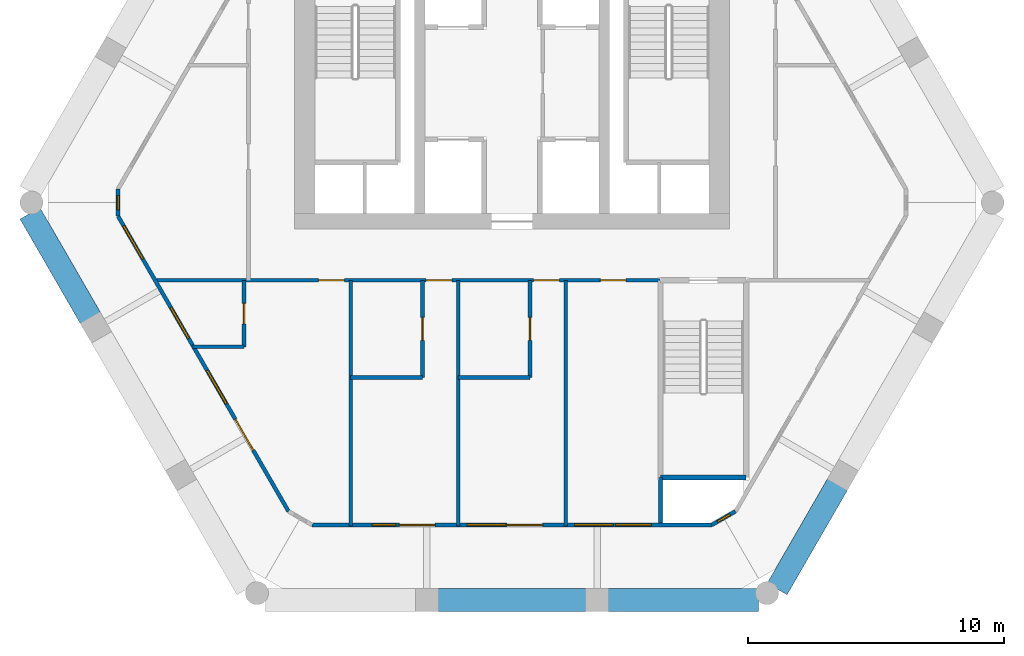
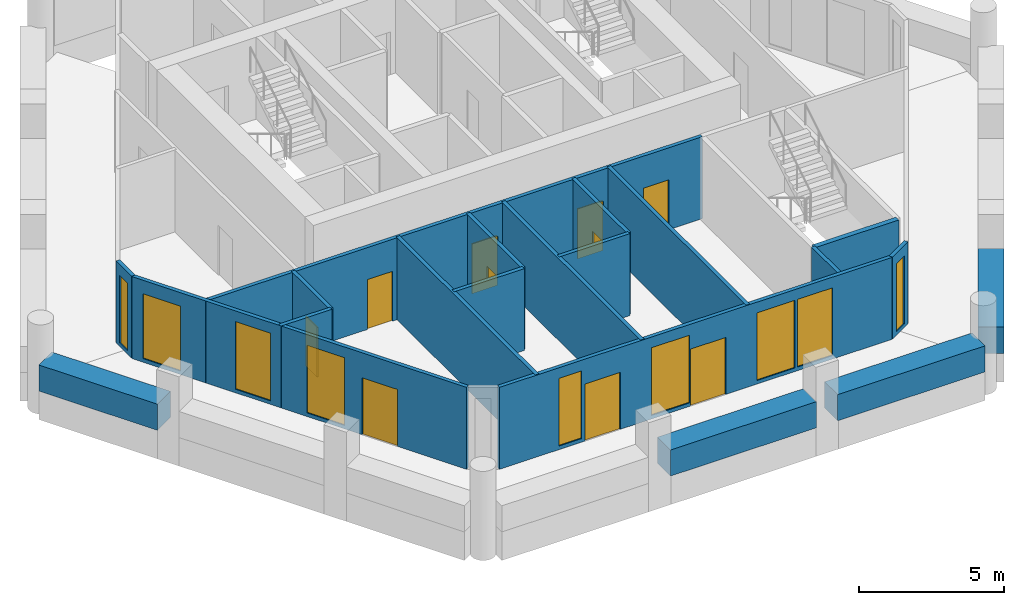
# One storey, part 2 of 6: 20 walls, 10 doors, 9 windows, 19 openings.
"""IFC4 building model written with IfcOpenShell, lengths in metres."""

from ifc_helpers import new_model, si_unit, direction, frame, frame_2d, origin, place, context, subcontext, project, spatial, rectangle, extrude, material, layer, layer_set, type_object, element, fill, save


model = new_model("IFC4")

# Units and contexts
model_context = context("Model", 3, precision=1e-05, world=origin(), true_north=direction((0.0, 1.0)))
body_context = subcontext(model_context, "Body", "Model", "MODEL_VIEW")
ifc_project = project(units=[si_unit("LENGTHUNIT", "METRE"), si_unit("AREAUNIT", "SQUARE_METRE"), si_unit("VOLUMEUNIT", "CUBIC_METRE"), si_unit("PLANEANGLEUNIT", "RADIAN"), si_unit("MASSUNIT", "GRAM", prefix="KILO")], contexts=[model_context])

# Site, building, storey
site_placement = place(None, origin())
site = spatial("IfcSite", under=ifc_project, at=site_placement, CompositionType="ELEMENT")
building_placement = place(site_placement, origin())
building = spatial("IfcBuilding", under=site, at=building_placement, Name="Ostrander Bayou Hotel Tower", CompositionType="ELEMENT")
storey_placement = place(building_placement, frame((0.0, 0.0, 248.75)))
storey = spatial("IfcBuildingStorey", under=building, at=storey_placement, Name="L61", CompositionType="ELEMENT", Elevation=248.75)

# Wall, openings, door, windows
ifc_material_1 = material(Name="Aluminium framed insulated wall", Category="aluminium")
ifc_layer_1 = layer(ifc_material_1, 0.14990234375)
ifc_layer_set_1 = layer_set([ifc_layer_1], Name="GW1 glass-line wall 150 mm")
wall_type_1 = type_object("IfcWallType", Name="GW1 glass-line wall 150 mm", PredefinedType="SOLIDWALL", material=ifc_layer_set_1)
wall_1_placement = place(storey_placement, frame((-15.387451171875, -1.197998046875, 0.0), z_axis=(0.0, 0.0, 1.0), x_axis=(0.499997087355, -0.866027085394, 0.0)))
wall_1 = element("IfcWall", 1, at=wall_1_placement, inside=storey, type_object=wall_type_1, Name="GW1 L61 SW 1", PredefinedType="SOLIDWALL", context=body_context, shape_type="SweptSolid", body=[
    extrude(rectangle(XDim=13.3125, YDim=0.14990234375, at=frame_2d((6.65625, 0.0))), origin(), (0.0, 0.0, 1.0), 3.449951171875),
])
opening_1_placement = place(wall_1_placement, frame((4.115234375, 0.0, 0.14990234375)))
opening_1 = element("IfcOpeningElement", 2, at=opening_1_placement, cuts=wall_1, Name="Opening W14", PredefinedType="OPENING", context=body_context, shape_type="SweptSolid", body=[
    extrude(rectangle(XDim=1.39990234375, YDim=2.85009765625, at=frame_2d((0.699951171875, 1.425048828125))), frame((0.0, 0.074951171875, 0.0), z_axis=(0.0, -1.0, 0.0), x_axis=(1.0, 0.0, 0.0)), (0.0, 0.0, 1.0), 0.14990234375),
])
opening_2_placement = place(wall_1_placement, frame((6.956298828125, 0.0, 0.14990234375)))
opening_2 = element("IfcOpeningElement", 3, at=opening_2_placement, cuts=wall_1, Name="Opening W4", PredefinedType="OPENING", context=body_context, shape_type="SweptSolid", body=[
    extrude(rectangle(XDim=1.5, YDim=2.85009765625, at=frame_2d((0.75, 1.425048828125))), frame((0.0, 0.074951171875, 0.0), z_axis=(0.0, -1.0, 0.0), x_axis=(1.0, 0.0, 0.0)), (0.0, 0.0, 1.0), 0.14990234375),
])
opening_3_placement = place(wall_1_placement, frame((9.15625, 0.0, 0.0)))
opening_3 = element("IfcOpeningElement", 4, at=opening_3_placement, cuts=wall_1, Name="Opening T60-800", PredefinedType="OPENING", context=body_context, shape_type="SweptSolid", body=[
    extrude(rectangle(XDim=1.39990234375, YDim=2.39990234375, at=frame_2d((0.699951171875, 1.199951171875))), frame((0.0, 0.074951171875, 0.0), z_axis=(0.0, -1.0, 0.0), x_axis=(1.0, 0.0, 0.0)), (0.0, 0.0, 1.0), 0.14990234375),
])
opening_4_placement = place(wall_1_placement, frame((0.427978515625, 0.0, 0.14990234375)))
opening_4 = element("IfcOpeningElement", 5, at=opening_4_placement, cuts=wall_1, Name="Opening W4", PredefinedType="OPENING", context=body_context, shape_type="SweptSolid", body=[
    extrude(rectangle(XDim=1.5, YDim=2.72998046875, at=frame_2d((0.75, 1.364990234375))), frame((0.0, 0.074951171875, 0.0), z_axis=(0.0, -1.0, 0.0), x_axis=(1.0, 0.0, 0.0)), (0.0, 0.0, 1.0), 0.14990234375),
])
ifc_material_2 = material(Name="Aluminium and clear glass", Category="aluminium")
door_type_1 = type_object("IfcDoorType", Name="SD4 sliding glass door 1400 mm, zone 4", OperationType="SLIDING_TO_LEFT", PredefinedType="DOOR", material=ifc_material_2)
door_1_placement = place(opening_3_placement, origin())
door_1 = element("IfcDoor", 6, at=door_1_placement, inside=storey, type_object=door_type_1, Name="SD4 L61 SW 2", OperationType="SLIDING_TO_RIGHT", OverallHeight=2.39990234375, OverallWidth=1.39990234375, PredefinedType="DOOR", context=body_context, shape_type="SweptSolid", body=[
    extrude(rectangle(XDim=1.39990234375, YDim=2.39990234375, at=frame_2d((0.699951171875, 1.199951171875))), frame((0.0, 0.02490234375, 0.0), z_axis=(0.0, -1.0, 0.0), x_axis=(1.0, 0.0, 0.0)), (0.0, 0.0, 1.0), 0.050048828125),
])
fill(opening_3, door_1)
ifc_material_3 = material(Name="Aluminium and clear glass", Category="aluminium")
window_type_1 = type_object("IfcWindowType", Name="W14 fixed window 1400 mm, bath bay, zone 4", PartitioningType="SINGLE_PANEL", PredefinedType="WINDOW", material=ifc_material_3)
window_1_placement = place(opening_1_placement, origin())
window_1 = element("IfcWindow", 7, at=window_1_placement, inside=storey, type_object=window_type_1, Name="W14 L61 SW 1", OverallHeight=2.85009765625, OverallWidth=1.39990234375, PartitioningType="SINGLE_PANEL", PredefinedType="WINDOW", context=body_context, shape_type="SweptSolid", body=[
    extrude(rectangle(XDim=1.39990234375, YDim=2.85009765625, at=frame_2d((0.699951171875, 1.425048828125))), frame((0.0, 0.030029296875, 0.0), z_axis=(0.0, -1.0, 0.0), x_axis=(1.0, 0.0, 0.0)), (0.0, 0.0, 1.0), 0.06005859375),
])
fill(opening_1, window_1)
ifc_material_4 = material(Name="Aluminium and clear glass", Category="aluminium")
window_type_2 = type_object("IfcWindowType", Name="W4 fixed window 1500 mm, zone 4", PartitioningType="SINGLE_PANEL", PredefinedType="WINDOW", material=ifc_material_4)
window_2_placement = place(opening_2_placement, origin())
window_2 = element("IfcWindow", 8, at=window_2_placement, inside=storey, type_object=window_type_2, Name="W4 L61 SW 2", OverallHeight=2.85009765625, OverallWidth=1.5, PartitioningType="SINGLE_PANEL", PredefinedType="WINDOW", context=body_context, shape_type="SweptSolid", body=[
    extrude(rectangle(XDim=1.5, YDim=2.85009765625, at=frame_2d((0.75, 1.425048828125))), frame((0.0, 0.030029296875, 0.0), z_axis=(0.0, -1.0, 0.0), x_axis=(1.0, 0.0, 0.0)), (0.0, 0.0, 1.0), 0.06005859375),
])
fill(opening_2, window_2)
window_3_placement = place(opening_4_placement, origin())
window_3 = element("IfcWindow", 9, at=window_3_placement, inside=storey, type_object=window_type_2, Name="W4 L61 SW E11", OverallHeight=2.72998046875, OverallWidth=1.5, PartitioningType="SINGLE_PANEL", PredefinedType="WINDOW", context=body_context, shape_type="SweptSolid", body=[
    extrude(rectangle(XDim=1.5, YDim=2.72998046875, at=frame_2d((0.75, 1.364990234375))), frame((0.0, 0.030029296875, 0.0), z_axis=(0.0, -1.0, 0.0), x_axis=(1.0, 0.0, 0.0)), (0.0, 0.0, 1.0), 0.06005859375),
])
fill(opening_4, window_3)

# Wall, openings, doors, windows
wall_2_placement = place(storey_placement, frame((-7.80908203125, -13.259521484375, 0.0), z_axis=(0.0, 0.0, 1.0), x_axis=(1.0, 0.0, 0.0)))
wall_2 = element("IfcWall", 10, at=wall_2_placement, inside=storey, type_object=wall_type_1, Name="GW1 L61 S 1", PredefinedType="SOLIDWALL", context=body_context, shape_type="SweptSolid", body=[
    extrude(rectangle(XDim=15.6181640625, YDim=0.14990234375, at=frame_2d((7.80908203125, 0.0))), origin(), (0.0, 0.0, 1.0), 3.449951171875),
])
opening_5_placement = place(wall_2_placement, frame((2.35888671875, 0.0, 0.14990234375)))
opening_5 = element("IfcOpeningElement", 11, at=opening_5_placement, cuts=wall_2, Name="Opening W18", PredefinedType="OPENING", context=body_context, shape_type="SweptSolid", body=[
    extrude(rectangle(XDim=0.89990234375, YDim=2.85009765625, at=frame_2d((0.449951171875, 1.425048828125))), frame((0.0, 0.074951171875, 0.0), z_axis=(0.0, -1.0, 0.0), x_axis=(1.0, 0.0, 0.0)), (0.0, 0.0, 1.0), 0.14990234375),
])
opening_6_placement = place(wall_2_placement, frame((3.408935546875, 0.0, 0.0)))
opening_6 = element("IfcOpeningElement", 12, at=opening_6_placement, cuts=wall_2, Name="Opening T60-801", PredefinedType="OPENING", context=body_context, shape_type="SweptSolid", body=[
    extrude(rectangle(XDim=1.39990234375, YDim=2.39990234375, at=frame_2d((0.699951171875, 1.199951171875))), frame((0.0, 0.074951171875, 0.0), z_axis=(0.0, -1.0, 0.0), x_axis=(1.0, 0.0, 0.0)), (0.0, 0.0, 1.0), 0.14990234375),
])
opening_7_placement = place(wall_2_placement, frame((6.05908203125, 0.0, 0.14990234375)))
opening_7 = element("IfcOpeningElement", 13, at=opening_7_placement, cuts=wall_2, Name="Opening W4", PredefinedType="OPENING", context=body_context, shape_type="SweptSolid", body=[
    extrude(rectangle(XDim=1.5, YDim=2.85009765625, at=frame_2d((0.75, 1.425048828125))), frame((0.0, 0.074951171875, 0.0), z_axis=(0.0, -1.0, 0.0), x_axis=(1.0, 0.0, 0.0)), (0.0, 0.0, 1.0), 0.14990234375),
])
opening_8_placement = place(wall_2_placement, frame((7.60888671875, 0.0, 0.0)))
opening_8 = element("IfcOpeningElement", 14, at=opening_8_placement, cuts=wall_2, Name="Opening T60-802", PredefinedType="OPENING", context=body_context, shape_type="SweptSolid", body=[
    extrude(rectangle(XDim=1.39990234375, YDim=2.39990234375, at=frame_2d((0.699951171875, 1.199951171875))), frame((0.0, 0.074951171875, 0.0), z_axis=(0.0, -1.0, 0.0), x_axis=(1.0, 0.0, 0.0)), (0.0, 0.0, 1.0), 0.14990234375),
])
opening_9_placement = place(wall_2_placement, frame((10.259033203125, 0.0, 0.14990234375)))
opening_9 = element("IfcOpeningElement", 15, at=opening_9_placement, cuts=wall_2, Name="Opening W4", PredefinedType="OPENING", context=body_context, shape_type="SweptSolid", body=[
    extrude(rectangle(XDim=1.5, YDim=2.85009765625, at=frame_2d((0.75, 1.425048828125))), frame((0.0, 0.074951171875, 0.0), z_axis=(0.0, -1.0, 0.0), x_axis=(1.0, 0.0, 0.0)), (0.0, 0.0, 1.0), 0.14990234375),
])
opening_10_placement = place(wall_2_placement, frame((11.85888671875, 0.0, 0.14990234375)))
opening_10 = element("IfcOpeningElement", 16, at=opening_10_placement, cuts=wall_2, Name="Opening W14", PredefinedType="OPENING", context=body_context, shape_type="SweptSolid", body=[
    extrude(rectangle(XDim=1.39990234375, YDim=2.85009765625, at=frame_2d((0.699951171875, 1.425048828125))), frame((0.0, 0.074951171875, 0.0), z_axis=(0.0, -1.0, 0.0), x_axis=(1.0, 0.0, 0.0)), (0.0, 0.0, 1.0), 0.14990234375),
])
door_2_placement = place(opening_6_placement, origin())
door_2 = element("IfcDoor", 17, at=door_2_placement, inside=storey, type_object=door_type_1, Name="SD4 L61 S 1", OperationType="SLIDING_TO_LEFT", OverallHeight=2.39990234375, OverallWidth=1.39990234375, PredefinedType="DOOR", context=body_context, shape_type="SweptSolid", body=[
    extrude(rectangle(XDim=1.39990234375, YDim=2.39990234375, at=frame_2d((0.699951171875, 1.199951171875))), frame((0.0, 0.02490234375, 0.0), z_axis=(0.0, -1.0, 0.0), x_axis=(1.0, 0.0, 0.0)), (0.0, 0.0, 1.0), 0.050048828125),
])
fill(opening_6, door_2)
door_3_placement = place(opening_8_placement, origin())
door_3 = element("IfcDoor", 18, at=door_3_placement, inside=storey, type_object=door_type_1, Name="SD4 L61 S 2", OperationType="SLIDING_TO_RIGHT", OverallHeight=2.39990234375, OverallWidth=1.39990234375, PredefinedType="DOOR", context=body_context, shape_type="SweptSolid", body=[
    extrude(rectangle(XDim=1.39990234375, YDim=2.39990234375, at=frame_2d((0.699951171875, 1.199951171875))), frame((0.0, 0.02490234375, 0.0), z_axis=(0.0, -1.0, 0.0), x_axis=(1.0, 0.0, 0.0)), (0.0, 0.0, 1.0), 0.050048828125),
])
fill(opening_8, door_3)
window_4_placement = place(opening_10_placement, origin())
window_4 = element("IfcWindow", 19, at=window_4_placement, inside=storey, type_object=window_type_1, Name="W14 L61 S 3", OverallHeight=2.85009765625, OverallWidth=1.39990234375, PartitioningType="SINGLE_PANEL", PredefinedType="WINDOW", context=body_context, shape_type="SweptSolid", body=[
    extrude(rectangle(XDim=1.39990234375, YDim=2.85009765625, at=frame_2d((0.699951171875, 1.425048828125))), frame((0.0, 0.030029296875, 0.0), z_axis=(0.0, -1.0, 0.0), x_axis=(1.0, 0.0, 0.0)), (0.0, 0.0, 1.0), 0.06005859375),
])
fill(opening_10, window_4)
ifc_material_5 = material(Name="Aluminium and clear glass", Category="aluminium")
window_type_3 = type_object("IfcWindowType", Name="W18 window 900 mm, zone 4", PartitioningType="SINGLE_PANEL", PredefinedType="WINDOW", material=ifc_material_5)
window_5_placement = place(opening_5_placement, origin())
window_5 = element("IfcWindow", 20, at=window_5_placement, inside=storey, type_object=window_type_3, Name="W18 L61 S 1", OverallHeight=2.85009765625, OverallWidth=0.89990234375, PartitioningType="SINGLE_PANEL", PredefinedType="WINDOW", context=body_context, shape_type="SweptSolid", body=[
    extrude(rectangle(XDim=0.89990234375, YDim=2.85009765625, at=frame_2d((0.449951171875, 1.425048828125))), frame((0.0, 0.030029296875, 0.0), z_axis=(0.0, -1.0, 0.0), x_axis=(1.0, 0.0, 0.0)), (0.0, 0.0, 1.0), 0.06005859375),
])
fill(opening_5, window_5)
window_6_placement = place(opening_7_placement, origin())
window_6 = element("IfcWindow", 21, at=window_6_placement, inside=storey, type_object=window_type_2, Name="W4 L61 S 2", OverallHeight=2.85009765625, OverallWidth=1.5, PartitioningType="SINGLE_PANEL", PredefinedType="WINDOW", context=body_context, shape_type="SweptSolid", body=[
    extrude(rectangle(XDim=1.5, YDim=2.85009765625, at=frame_2d((0.75, 1.425048828125))), frame((0.0, 0.030029296875, 0.0), z_axis=(0.0, -1.0, 0.0), x_axis=(1.0, 0.0, 0.0)), (0.0, 0.0, 1.0), 0.06005859375),
])
fill(opening_7, window_6)
window_7_placement = place(opening_9_placement, origin())
window_7 = element("IfcWindow", 22, at=window_7_placement, inside=storey, type_object=window_type_2, Name="W4 L61 S 3", OverallHeight=2.85009765625, OverallWidth=1.5, PartitioningType="SINGLE_PANEL", PredefinedType="WINDOW", context=body_context, shape_type="SweptSolid", body=[
    extrude(rectangle(XDim=1.5, YDim=2.85009765625, at=frame_2d((0.75, 1.425048828125))), frame((0.0, 0.030029296875, 0.0), z_axis=(0.0, -1.0, 0.0), x_axis=(1.0, 0.0, 0.0)), (0.0, 0.0, 1.0), 0.06005859375),
])
fill(opening_9, window_7)

# Wall, opening, window
wall_3_placement = place(storey_placement, frame((-15.387451171875, -0.133056640625, 0.0), z_axis=(0.0, 0.0, 1.0), x_axis=(0.0, -1.0, 0.0)))
wall_3 = element("IfcWall", 23, at=wall_3_placement, inside=storey, type_object=wall_type_1, Name="GW1 L61 corner 2", PredefinedType="SOLIDWALL", context=body_context, shape_type="SweptSolid", body=[
    extrude(rectangle(XDim=1.06494140625, YDim=0.14990234375, at=frame_2d((0.532470703125, 0.0))), origin(), (0.0, 0.0, 1.0), 3.449951171875),
])
opening_11_placement = place(wall_3_placement, frame((0.257568359375, 0.0, 0.14990234375)))
opening_11 = element("IfcOpeningElement", 24, at=opening_11_placement, cuts=wall_3, Name="Opening W19", PredefinedType="OPENING", context=body_context, shape_type="SweptSolid", body=[
    extrude(rectangle(XDim=0.550048828125, YDim=2.85009765625, at=frame_2d((0.27490234375, 1.425048828125))), frame((0.0, 0.074951171875, 0.0), z_axis=(0.0, -1.0, 0.0), x_axis=(1.0, 0.0, 0.0)), (0.0, 0.0, 1.0), 0.14990234375),
])
ifc_material_6 = material(Name="Aluminium and clear glass", Category="aluminium")
window_type_4 = type_object("IfcWindowType", Name="W19 corner window 550 mm", PartitioningType="SINGLE_PANEL", PredefinedType="WINDOW", material=ifc_material_6)
window_8_placement = place(opening_11_placement, origin())
window_8 = element("IfcWindow", 25, at=window_8_placement, inside=storey, type_object=window_type_4, Name="W19 L61 corner 2", OverallHeight=2.85009765625, OverallWidth=0.550048828125, PartitioningType="SINGLE_PANEL", PredefinedType="WINDOW", context=body_context, shape_type="SweptSolid", body=[
    extrude(rectangle(XDim=0.550048828125, YDim=2.85009765625, at=frame_2d((0.27490234375, 1.425048828125))), frame((0.0, 0.030029296875, 0.0), z_axis=(0.0, -1.0, 0.0), x_axis=(1.0, 0.0, 0.0)), (0.0, 0.0, 1.0), 0.06005859375),
])
fill(opening_11, window_8)

wall_4_placement = place(storey_placement, frame((7.80908203125, -13.259521484375, 0.0), z_axis=(0.0, 0.0, 1.0), x_axis=(0.865990848561, 0.500059846627, 0.0)))
wall_4 = element("IfcWall", 26, at=wall_4_placement, inside=storey, type_object=wall_type_1, Name="GW1 L61 corner 4", PredefinedType="SOLIDWALL", context=body_context, shape_type="SweptSolid", body=[
    extrude(rectangle(XDim=1.064697265625, YDim=0.14990234375, at=frame_2d((0.5322265625, 0.0))), origin(), (0.0, 0.0, 1.0), 3.449951171875),
])
opening_12_placement = place(wall_4_placement, frame((0.257568359375, 0.0, 0.14990234375)))
opening_12 = element("IfcOpeningElement", 27, at=opening_12_placement, cuts=wall_4, Name="Opening W19", PredefinedType="OPENING", context=body_context, shape_type="SweptSolid", body=[
    extrude(rectangle(XDim=0.550048828125, YDim=2.85009765625, at=frame_2d((0.27490234375, 1.425048828125))), frame((0.0, 0.074951171875, 0.0), z_axis=(0.0, -1.0, 0.0), x_axis=(1.0, 0.0, 0.0)), (0.0, 0.0, 1.0), 0.14990234375),
])
window_9_placement = place(opening_12_placement, origin())
window_9 = element("IfcWindow", 28, at=window_9_placement, inside=storey, type_object=window_type_4, Name="W19 L61 corner 4", OverallHeight=2.85009765625, OverallWidth=0.550048828125, PartitioningType="SINGLE_PANEL", PredefinedType="WINDOW", context=body_context, shape_type="SweptSolid", body=[
    extrude(rectangle(XDim=0.550048828125, YDim=2.85009765625, at=frame_2d((0.27490234375, 1.425048828125))), frame((0.0, 0.030029296875, 0.0), z_axis=(0.0, -1.0, 0.0), x_axis=(1.0, 0.0, 0.0)), (0.0, 0.0, 1.0), 0.06005859375),
])
fill(opening_12, window_9)

# Walls
ifc_material_7 = material(Name="Concrete f'c 40 MPa", Category="concrete")
ifc_layer_2 = layer(ifc_material_7, 0.89990234375)
ifc_layer_set_2 = layer_set([ifc_layer_2], Name="PA1 stone-faced parapet 900 mm")
wall_type_2 = type_object("IfcWallType", Name="PA1 stone-faced parapet 900 mm", PredefinedType="PARAPET", material=ifc_layer_set_2)
wall_5_placement = place(storey_placement, frame((-2.909423828125, -16.1845703125, 0.0), z_axis=(0.0, 0.0, 1.0), x_axis=(1.0, 0.0, 0.0)))
element("IfcWall", 29, at=wall_5_placement, inside=storey, type_object=wall_type_2, Name="PA1 L61 S-2", PredefinedType="PARAPET", context=body_context, shape_type="SweptSolid", body=[
    extrude(rectangle(XDim=5.81884765625, YDim=0.89990234375, at=frame_2d((2.909423828125, 0.0))), origin(), (0.0, 0.0, 1.0), 1.10009765625),
])
wall_6_placement = place(storey_placement, frame((3.74951171875, -16.1845703125, 0.0), z_axis=(0.0, 0.0, 1.0), x_axis=(1.0, 0.0, 0.0)))
element("IfcWall", 30, at=wall_6_placement, inside=storey, type_object=wall_type_2, Name="PA1 L61 S-3", PredefinedType="PARAPET", context=body_context, shape_type="SweptSolid", body=[
    extrude(rectangle(XDim=5.8759765625, YDim=0.89990234375, at=frame_2d((2.93798828125, 0.0))), origin(), (0.0, 0.0, 1.0), 1.10009765625),
])
ifc_material_8 = material(Name="Limestone masonry", Category="masonry")
ifc_layer_3 = layer(ifc_material_8, 0.89990234375)
ifc_layer_set_3 = layer_set([ifc_layer_3], Name="PA2 limestone parapet 900 mm")
wall_type_3 = type_object("IfcWallType", Name="PA2 limestone parapet 900 mm", PredefinedType="PARAPET", material=ifc_layer_set_3)
wall_7_placement = place(storey_placement, frame((-18.828857421875, -1.08740234375, 0.0), z_axis=(0.0, 0.0, 1.0), x_axis=(0.499980471007, -0.86603667856, 0.0)))
element("IfcWall", 31, at=wall_7_placement, inside=storey, type_object=wall_type_3, Name="PA2 L61 SW-1", PredefinedType="PARAPET", context=body_context, shape_type="SweptSolid", body=[
    extrude(rectangle(XDim=4.723388671875, YDim=0.89990234375, at=frame_2d((2.36181640625, 0.0))), origin(), (0.0, 0.0, 1.0), 1.10009765625),
])
wall_8_placement = place(storey_placement, frame((10.356201171875, -15.762451171875, 0.0), z_axis=(0.0, 0.0, 1.0), x_axis=(0.500002852929, 0.866023756639, 0.0)))
element("IfcWall", 32, at=wall_8_placement, inside=storey, type_object=wall_type_3, Name="PA2 L61 SE-1", PredefinedType="PARAPET", context=body_context, shape_type="SweptSolid", body=[
    extrude(rectangle(XDim=4.72314453125, YDim=0.89990234375, at=frame_2d((2.361572265625, 0.0))), origin(), (0.0, 0.0, 1.0), 1.10009765625),
])
ifc_material_9 = material(Name="Gypsum board partition", Category="finish")
ifc_layer_4 = layer(ifc_material_9, 0.14990234375)
ifc_layer_set_4 = layer_set([ifc_layer_4], Name="PT7 riser wall 150 mm, 2 hour")
wall_type_4 = type_object("IfcWallType", Name="PT7 riser wall 150 mm, 2 hour", PredefinedType="PARTITIONING", material=ifc_layer_set_4)
wall_9_placement = place(storey_placement, frame((5.800048828125, -11.39990234375, 0.0), z_axis=(0.0, 0.0, 1.0), x_axis=(0.0, -1.0, 0.0)))
element("IfcWall", 33, at=wall_9_placement, inside=storey, type_object=wall_type_4, Name="cs:L61:019", PredefinedType="PARTITIONING", context=body_context, shape_type="SweptSolid", body=[
    extrude(rectangle(XDim=1.78466796875, YDim=0.14990234375, at=frame_2d((0.892333984375, 0.0))), origin(), (0.0, 0.0, 1.0), 3.449951171875),
])
ifc_material_10 = material(Name="Gypsum board partition", Category="finish")
ifc_layer_5 = layer(ifc_material_10, 0.14990234375)
ifc_layer_set_5 = layer_set([ifc_layer_5], Name="PT8 service band wall 150 mm, 1 hour")
wall_type_5 = type_object("IfcWallType", Name="PT8 service band wall 150 mm, 1 hour", PredefinedType="PARTITIONING", material=ifc_layer_set_5)
for number, where, z_axis, x_axis, name in (
    (34, (-6.300048828125, -7.5, 0.0), (0.0, 0.0, 1.0), (1.0, 0.0, 0.0), "gw:L61:001"),
    (35, (-2.10009765625, -7.5, 0.0), (0.0, 0.0, 1.0), (1.0, 0.0, 0.0), "gw:L61:002"),
):
    element("IfcWall", number, at=place(storey_placement, frame(where, z_axis=z_axis, x_axis=x_axis)), inside=storey, type_object=wall_type_5, Name=name, PredefinedType="PARTITIONING", context=body_context, shape_type="SweptSolid", body=[
        extrude(rectangle(XDim=2.800048828125, YDim=0.14990234375, at=frame_2d((1.39990234375, 0.0))), origin(), (0.0, 0.0, 1.0), 3.449951171875),
    ])
wall_10_placement = place(storey_placement, frame((-12.493896484375, -6.300048828125, 0.0), z_axis=(0.0, 0.0, 1.0), x_axis=(1.0, 0.0, 0.0)))
element("IfcWall", 36, at=wall_10_placement, inside=storey, type_object=wall_type_5, Name="gw:L61:003", PredefinedType="PARTITIONING", context=body_context, shape_type="SweptSolid", body=[
    extrude(rectangle(XDim=2.02880859375, YDim=0.14990234375, at=frame_2d((1.014404296875, 0.0))), origin(), (0.0, 0.0, 1.0), 3.449951171875),
])

# Wall, openings, doors
wall_11_placement = place(storey_placement, frame((-13.9951171875, -3.699951171875, 0.0), z_axis=(0.0, 0.0, 1.0), x_axis=(1.0, 0.0, 0.0)))
wall_11 = element("IfcWall", 37, at=wall_11_placement, inside=storey, type_object=wall_type_5, Name="gw:L61:004", PredefinedType="PARTITIONING", context=body_context, shape_type="SweptSolid", body=[
    extrude(rectangle(XDim=19.78515625, YDim=0.14990234375, at=frame_2d((9.892578125, 0.0))), origin(), (0.0, 0.0, 1.0), 3.449951171875),
])
opening_13_placement = place(wall_11_placement, frame((14.844970703125, 0.0, 0.0)))
opening_13 = element("IfcOpeningElement", 38, at=opening_13_placement, cuts=wall_11, Name="Opening T60-400", PredefinedType="OPENING", context=body_context, shape_type="SweptSolid", body=[
    extrude(rectangle(XDim=1.0, YDim=2.10009765625, at=frame_2d((0.5, 1.050048828125))), frame((0.0, 0.074951171875, 0.0), z_axis=(0.0, -1.0, 0.0), x_axis=(1.0, 0.0, 0.0)), (0.0, 0.0, 1.0), 0.14990234375),
])
opening_14_placement = place(wall_11_placement, frame((10.64501953125, 0.0, 0.0)))
opening_14 = element("IfcOpeningElement", 39, at=opening_14_placement, cuts=wall_11, Name="Opening T60-402", PredefinedType="OPENING", context=body_context, shape_type="SweptSolid", body=[
    extrude(rectangle(XDim=1.0, YDim=2.10009765625, at=frame_2d((0.5, 1.050048828125))), frame((0.0, 0.074951171875, 0.0), z_axis=(0.0, -1.0, 0.0), x_axis=(1.0, 0.0, 0.0)), (0.0, 0.0, 1.0), 0.14990234375),
])
opening_15_placement = place(wall_11_placement, frame((6.445068359375, 0.0, 0.0)))
opening_15 = element("IfcOpeningElement", 40, at=opening_15_placement, cuts=wall_11, Name="Opening T60-404", PredefinedType="OPENING", context=body_context, shape_type="SweptSolid", body=[
    extrude(rectangle(XDim=1.0, YDim=2.10009765625, at=frame_2d((0.5, 1.050048828125))), frame((0.0, 0.074951171875, 0.0), z_axis=(0.0, -1.0, 0.0), x_axis=(1.0, 0.0, 0.0)), (0.0, 0.0, 1.0), 0.14990234375),
])
opening_16_placement = place(wall_11_placement, frame((17.445068359375, 0.0, 0.0)))
opening_16 = element("IfcOpeningElement", 41, at=opening_16_placement, cuts=wall_11, Name="Opening T60-406", PredefinedType="OPENING", context=body_context, shape_type="SweptSolid", body=[
    extrude(rectangle(XDim=1.0, YDim=2.10009765625, at=frame_2d((0.5, 1.050048828125))), frame((0.0, 0.074951171875, 0.0), z_axis=(0.0, -1.0, 0.0), x_axis=(1.0, 0.0, 0.0)), (0.0, 0.0, 1.0), 0.14990234375),
])
ifc_material_11 = material(Name="Timber door leaf", Category="wood")
door_type_2 = type_object("IfcDoorType", Name="D1 guest room door 1000 x 2100 mm, 30 minute", OperationType="SINGLE_SWING_LEFT", PredefinedType="DOOR", material=ifc_material_11)
door_4_placement = place(opening_13_placement, origin())
door_4 = element("IfcDoor", 42, at=door_4_placement, inside=storey, type_object=door_type_2, Name="dr:L61:400", OperationType="SINGLE_SWING_RIGHT", OverallHeight=2.10009765625, OverallWidth=1.0, PredefinedType="DOOR", context=body_context, shape_type="SweptSolid", body=[
    extrude(rectangle(XDim=1.0, YDim=2.10009765625, at=frame_2d((0.5, 1.050048828125))), frame((0.0, 0.02490234375, 0.0), z_axis=(0.0, -1.0, 0.0), x_axis=(1.0, 0.0, 0.0)), (0.0, 0.0, 1.0), 0.050048828125),
])
fill(opening_13, door_4)
door_5_placement = place(opening_14_placement, origin())
door_5 = element("IfcDoor", 43, at=door_5_placement, inside=storey, type_object=door_type_2, Name="dr:L61:402", OperationType="SINGLE_SWING_RIGHT", OverallHeight=2.10009765625, OverallWidth=1.0, PredefinedType="DOOR", context=body_context, shape_type="SweptSolid", body=[
    extrude(rectangle(XDim=1.0, YDim=2.10009765625, at=frame_2d((0.5, 1.050048828125))), frame((0.0, 0.02490234375, 0.0), z_axis=(0.0, -1.0, 0.0), x_axis=(1.0, 0.0, 0.0)), (0.0, 0.0, 1.0), 0.050048828125),
])
fill(opening_14, door_5)
door_6_placement = place(opening_15_placement, origin())
door_6 = element("IfcDoor", 44, at=door_6_placement, inside=storey, type_object=door_type_2, Name="dr:L61:404", OperationType="SINGLE_SWING_RIGHT", OverallHeight=2.10009765625, OverallWidth=1.0, PredefinedType="DOOR", context=body_context, shape_type="SweptSolid", body=[
    extrude(rectangle(XDim=1.0, YDim=2.10009765625, at=frame_2d((0.5, 1.050048828125))), frame((0.0, 0.02490234375, 0.0), z_axis=(0.0, -1.0, 0.0), x_axis=(1.0, 0.0, 0.0)), (0.0, 0.0, 1.0), 0.050048828125),
])
fill(opening_15, door_6)
ifc_material_12 = material(Name="Timber door leaf", Category="wood")
door_type_3 = type_object("IfcDoorType", Name="D9 service door 1000 x 2100 mm, 30 minute", OperationType="SINGLE_SWING_LEFT", PredefinedType="DOOR", material=ifc_material_12)
door_7_placement = place(opening_16_placement, origin())
door_7 = element("IfcDoor", 45, at=door_7_placement, inside=storey, type_object=door_type_3, Name="dr:L61:406", OperationType="SINGLE_SWING_LEFT", OverallHeight=2.10009765625, OverallWidth=1.0, PredefinedType="DOOR", context=body_context, shape_type="SweptSolid", body=[
    extrude(rectangle(XDim=1.0, YDim=2.10009765625, at=frame_2d((0.5, 1.050048828125))), frame((0.0, 0.02490234375, 0.0), z_axis=(0.0, -1.0, 0.0), x_axis=(1.0, 0.0, 0.0)), (0.0, 0.0, 1.0), 0.050048828125),
])
fill(opening_16, door_7)

# Wall
wall_12_placement = place(storey_placement, frame((2.10009765625, -13.303955078125, 0.0), z_axis=(0.0, 0.0, 1.0), x_axis=(0.0, 1.0, 0.0)))
element("IfcWall", 46, at=wall_12_placement, inside=storey, type_object=wall_type_5, Name="gw:L61:010", PredefinedType="PARTITIONING", context=body_context, shape_type="SweptSolid", body=[
    extrude(rectangle(XDim=9.60400390625, YDim=0.14990234375, at=frame_2d((4.802001953125, 0.0))), origin(), (0.0, 0.0, 1.0), 3.449951171875),
])

# Wall, opening, door
wall_13_placement = place(storey_placement, frame((0.699951171875, -7.5, 0.0), z_axis=(0.0, 0.0, 1.0), x_axis=(0.0, 1.0, 0.0)))
wall_13 = element("IfcWall", 47, at=wall_13_placement, inside=storey, type_object=wall_type_5, Name="gw:L61:011", PredefinedType="PARTITIONING", context=body_context, shape_type="SweptSolid", body=[
    extrude(rectangle(XDim=3.800048828125, YDim=0.14990234375, at=frame_2d((1.89990234375, 0.0))), origin(), (0.0, 0.0, 1.0), 3.449951171875),
])
opening_17_placement = place(wall_13_placement, frame((1.449951171875, 0.0, 0.0)))
opening_17 = element("IfcOpeningElement", 48, at=opening_17_placement, cuts=wall_13, Name="Opening T60-401", PredefinedType="OPENING", context=body_context, shape_type="SweptSolid", body=[
    extrude(rectangle(XDim=0.89990234375, YDim=2.10009765625, at=frame_2d((0.449951171875, 1.050048828125))), frame((0.0, 0.074951171875, 0.0), z_axis=(0.0, -1.0, 0.0), x_axis=(1.0, 0.0, 0.0)), (0.0, 0.0, 1.0), 0.14990234375),
])
ifc_material_13 = material(Name="Timber door leaf", Category="wood")
door_type_4 = type_object("IfcDoorType", Name="D14 bathroom door 900 x 2100 mm", OperationType="SINGLE_SWING_LEFT", PredefinedType="DOOR", material=ifc_material_13)
door_8_placement = place(opening_17_placement, origin())
door_8 = element("IfcDoor", 49, at=door_8_placement, inside=storey, type_object=door_type_4, Name="dr:L61:401", OperationType="SINGLE_SWING_RIGHT", OverallHeight=2.10009765625, OverallWidth=0.89990234375, PredefinedType="DOOR", context=body_context, shape_type="SweptSolid", body=[
    extrude(rectangle(XDim=0.89990234375, YDim=2.10009765625, at=frame_2d((0.449951171875, 1.050048828125))), frame((0.0, 0.02490234375, 0.0), z_axis=(0.0, -1.0, 0.0), x_axis=(1.0, 0.0, 0.0)), (0.0, 0.0, 1.0), 0.050048828125),
])
fill(opening_17, door_8)

# Wall
wall_14_placement = place(storey_placement, frame((-2.10009765625, -13.303955078125, 0.0), z_axis=(0.0, 0.0, 1.0), x_axis=(0.0, 1.0, 0.0)))
element("IfcWall", 50, at=wall_14_placement, inside=storey, type_object=wall_type_5, Name="gw:L61:012", PredefinedType="PARTITIONING", context=body_context, shape_type="SweptSolid", body=[
    extrude(rectangle(XDim=9.60400390625, YDim=0.14990234375, at=frame_2d((4.802001953125, 0.0))), origin(), (0.0, 0.0, 1.0), 3.449951171875),
])

# Wall, opening, door
wall_15_placement = place(storey_placement, frame((-3.5, -7.5, 0.0), z_axis=(0.0, 0.0, 1.0), x_axis=(0.0, 1.0, 0.0)))
wall_15 = element("IfcWall", 51, at=wall_15_placement, inside=storey, type_object=wall_type_5, Name="gw:L61:013", PredefinedType="PARTITIONING", context=body_context, shape_type="SweptSolid", body=[
    extrude(rectangle(XDim=3.800048828125, YDim=0.14990234375, at=frame_2d((1.89990234375, 0.0))), origin(), (0.0, 0.0, 1.0), 3.449951171875),
])
opening_18_placement = place(wall_15_placement, frame((1.449951171875, 0.0, 0.0)))
opening_18 = element("IfcOpeningElement", 52, at=opening_18_placement, cuts=wall_15, Name="Opening T60-403", PredefinedType="OPENING", context=body_context, shape_type="SweptSolid", body=[
    extrude(rectangle(XDim=0.89990234375, YDim=2.10009765625, at=frame_2d((0.449951171875, 1.050048828125))), frame((0.0, 0.074951171875, 0.0), z_axis=(0.0, -1.0, 0.0), x_axis=(1.0, 0.0, 0.0)), (0.0, 0.0, 1.0), 0.14990234375),
])
door_9_placement = place(opening_18_placement, origin())
door_9 = element("IfcDoor", 53, at=door_9_placement, inside=storey, type_object=door_type_4, Name="dr:L61:403", OperationType="SINGLE_SWING_RIGHT", OverallHeight=2.10009765625, OverallWidth=0.89990234375, PredefinedType="DOOR", context=body_context, shape_type="SweptSolid", body=[
    extrude(rectangle(XDim=0.89990234375, YDim=2.10009765625, at=frame_2d((0.449951171875, 1.050048828125))), frame((0.0, 0.02490234375, 0.0), z_axis=(0.0, -1.0, 0.0), x_axis=(1.0, 0.0, 0.0)), (0.0, 0.0, 1.0), 0.050048828125),
])
fill(opening_18, door_9)

# Wall
wall_16_placement = place(storey_placement, frame((-6.300048828125, -13.303955078125, 0.0), z_axis=(0.0, 0.0, 1.0), x_axis=(0.0, 1.0, 0.0)))
element("IfcWall", 54, at=wall_16_placement, inside=storey, type_object=wall_type_5, Name="gw:L61:014", PredefinedType="PARTITIONING", context=body_context, shape_type="SweptSolid", body=[
    extrude(rectangle(XDim=9.60400390625, YDim=0.14990234375, at=frame_2d((4.802001953125, 0.0))), origin(), (0.0, 0.0, 1.0), 3.449951171875),
])

# Wall, opening, door
wall_17_placement = place(storey_placement, frame((-10.465087890625, -6.300048828125, 0.0), z_axis=(0.0, 0.0, 1.0), x_axis=(0.0, 1.0, 0.0)))
wall_17 = element("IfcWall", 55, at=wall_17_placement, inside=storey, type_object=wall_type_5, Name="gw:L61:016", PredefinedType="PARTITIONING", context=body_context, shape_type="SweptSolid", body=[
    extrude(rectangle(XDim=2.60009765625, YDim=0.14990234375, at=frame_2d((1.300048828125, 0.0))), origin(), (0.0, 0.0, 1.0), 3.449951171875),
])
opening_19_placement = place(wall_17_placement, frame((0.89990234375, 0.0, 0.0)))
opening_19 = element("IfcOpeningElement", 56, at=opening_19_placement, cuts=wall_17, Name="Opening T60-405", PredefinedType="OPENING", context=body_context, shape_type="SweptSolid", body=[
    extrude(rectangle(XDim=0.800048828125, YDim=2.10009765625, at=frame_2d((0.39990234375, 1.050048828125))), frame((0.0, 0.074951171875, 0.0), z_axis=(0.0, -1.0, 0.0), x_axis=(1.0, 0.0, 0.0)), (0.0, 0.0, 1.0), 0.14990234375),
])
ifc_material_14 = material(Name="Timber door leaf", Category="wood")
door_type_5 = type_object("IfcDoorType", Name="D2 bathroom door 800 x 2100 mm", OperationType="SINGLE_SWING_LEFT", PredefinedType="DOOR", material=ifc_material_14)
door_10_placement = place(opening_19_placement, origin())
door_10 = element("IfcDoor", 57, at=door_10_placement, inside=storey, type_object=door_type_5, Name="dr:L61:405", OperationType="SINGLE_SWING_RIGHT", OverallHeight=2.10009765625, OverallWidth=0.800048828125, PredefinedType="DOOR", context=body_context, shape_type="SweptSolid", body=[
    extrude(rectangle(XDim=0.800048828125, YDim=2.10009765625, at=frame_2d((0.39990234375, 1.050048828125))), frame((0.0, 0.02490234375, 0.0), z_axis=(0.0, -1.0, 0.0), x_axis=(1.0, 0.0, 0.0)), (0.0, 0.0, 1.0), 0.050048828125),
])
fill(opening_19, door_10)

# Wall
ifc_material_15 = material(Name="Concrete f'c 45 MPa", Category="concrete")
ifc_layer_6 = layer(ifc_material_15, 0.199951171875)
ifc_layer_set_6 = layer_set([ifc_layer_6], Name="SW5 stair enclosure wall 200 mm f'c 45 MPa")
wall_type_6 = type_object("IfcWallType", Name="SW5 stair enclosure wall 200 mm f'c 45 MPa", PredefinedType="SOLIDWALL", material=ifc_layer_set_6)
wall_18_placement = place(storey_placement, frame((5.800048828125, -11.39990234375, -0.300048828125), z_axis=(0.0, 0.0, 1.0), x_axis=(1.0, 0.0, 0.0)))
element("IfcWall", 58, at=wall_18_placement, inside=storey, type_object=wall_type_6, Name="cs:L61:018", PredefinedType="SOLIDWALL", context=body_context, shape_type="SweptSolid", body=[
    extrude(rectangle(XDim=3.349853515625, YDim=0.199951171875, at=frame_2d((1.6748046875, 0.0))), origin(), (0.0, 0.0, 1.0), 3.75),
])

save(model, "model.ifc")
